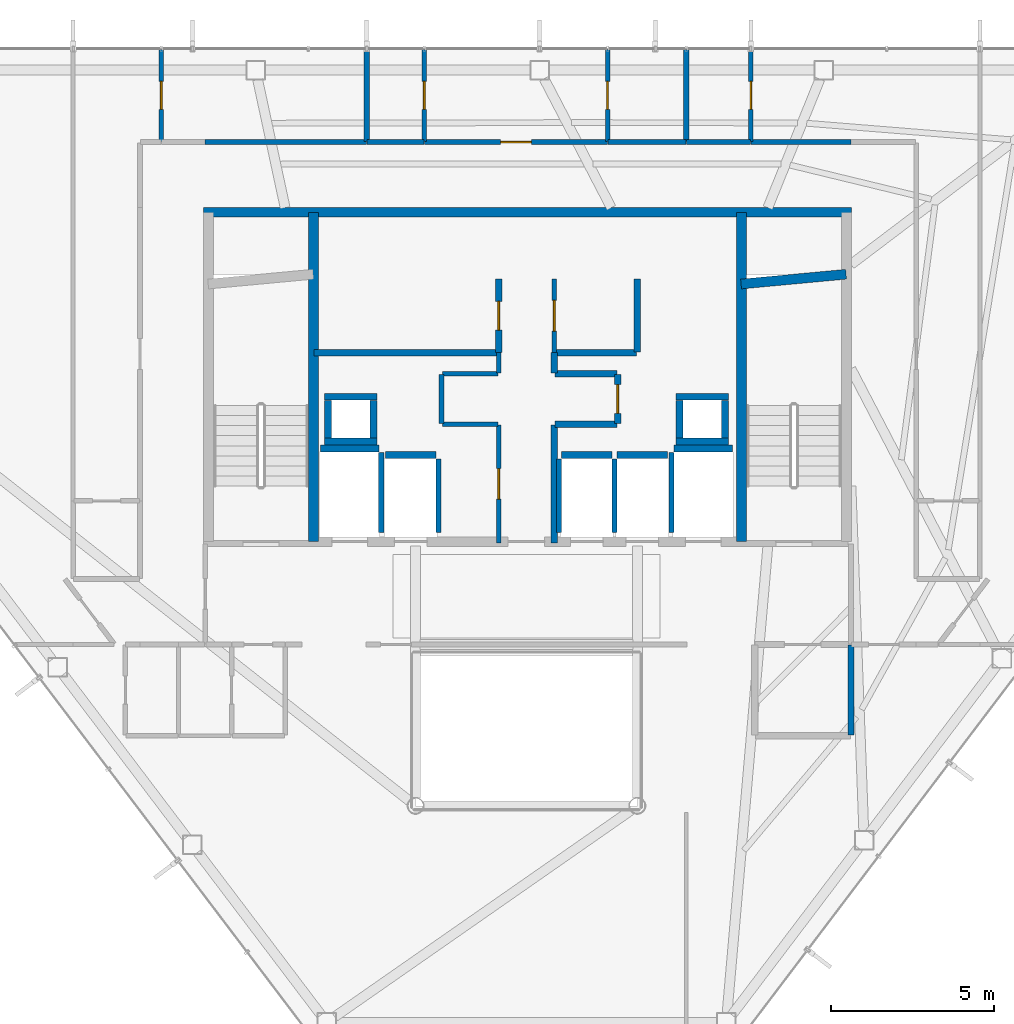
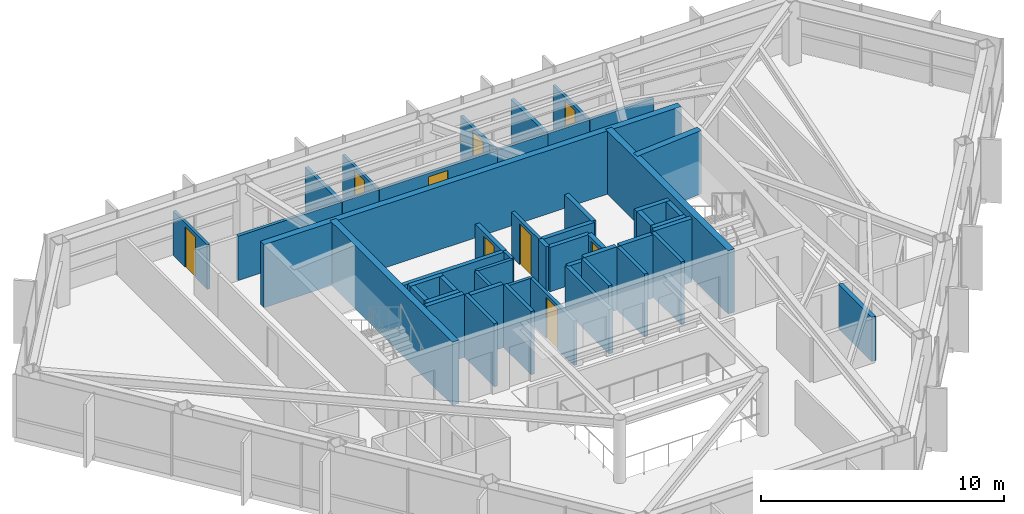
# One storey, part 23 of 25: 50 walls, 9 doors, 9 openings.
"""IFC4 building model written with IfcOpenShell, lengths in metres."""

from ifc_helpers import new_model, si_unit, direction, frame, frame_2d, origin, place, context, subcontext, project, spatial, rectangle, extrude, material, layer, layer_set, type_object, element, fill, save


model = new_model("IFC4")

# Units and contexts
model_context = context("Model", 3, precision=1e-05, world=origin(), true_north=direction((0.0, 1.0)))
body_context = subcontext(model_context, "Body", "Model", "MODEL_VIEW")
ifc_project = project(units=[si_unit("LENGTHUNIT", "METRE"), si_unit("AREAUNIT", "SQUARE_METRE"), si_unit("VOLUMEUNIT", "CUBIC_METRE"), si_unit("PLANEANGLEUNIT", "RADIAN"), si_unit("MASSUNIT", "GRAM", prefix="KILO")], contexts=[model_context])

# Site, building, storey
site_placement = place(None, origin())
site = spatial("IfcSite", under=ifc_project, at=site_placement, CompositionType="ELEMENT")
building_placement = place(site_placement, origin())
building = spatial("IfcBuilding", under=site, at=building_placement, Name="Zarrinselat Tower", CompositionType="ELEMENT")
storey_placement = place(building_placement, frame((0.0, 0.0, 212.159912109375)))
storey = spatial("IfcBuildingStorey", under=building, at=storey_placement, Name="L52", CompositionType="ELEMENT", Elevation=212.159912109375)

# Walls
ifc_material_1 = material(Name="Fire-Rated Gypsum Board Partition", Category="gypsum")
ifc_layer_1 = layer(ifc_material_1, 0.1650390625)
ifc_layer_set_1 = layer_set([ifc_layer_1], Name="Fire-Rated Gypsum Board Partition")
wall_type_1 = type_object("IfcWallType", Name="WAL-PART-DEMISE", PredefinedType="PARTITIONING", material=ifc_layer_set_1)
for number, where, z_axis, x_axis, name in (
    (1, (33.5, 45.570068359375, 0.0), (0.0, 0.0, 1.0), (0.0, 1.0, 0.0), "L52 Partition Wall 68"),
    (2, (43.300048828125, 45.570068359375, 0.0), (0.0, 0.0, 1.0), (0.0, 1.0, 0.0), "L52 Partition Wall 71"),
):
    element("IfcWall", number, at=place(storey_placement, frame(where, z_axis=z_axis, x_axis=x_axis)), inside=storey, type_object=wall_type_1, Name=name, PredefinedType="PARTITIONING", context=body_context, shape_type="SweptSolid", body=[
        extrude(rectangle(XDim=2.825927734375, YDim=0.1650390625, at=frame_2d((1.4130859375, 0.0))), origin(), (0.0, 0.0, 1.0), 2.235107421875),
    ])
ifc_material_2 = material(Name="Concrete C40/50", Category="concrete")
ifc_layer_2 = layer(ifc_material_2, 0.18994140625)
ifc_layer_set_2 = layer_set([ifc_layer_2], Name="Concrete C40/50")
wall_type_2 = type_object("IfcWallType", Name="WAL-PART-EI120", PredefinedType="PARTITIONING", material=ifc_layer_set_2)
wall_1_placement = place(storey_placement, frame((48.35009765625, 27.3701171875, 0.0), z_axis=(0.0, 0.0, 1.0), x_axis=(0.0, 1.0, 0.0)))
element("IfcWall", 3, at=wall_1_placement, inside=storey, type_object=wall_type_2, Name="L52 Partition Wall 25", PredefinedType="PARTITIONING", context=body_context, shape_type="SweptSolid", body=[
    extrude(rectangle(XDim=2.759765625, YDim=0.18994140625, at=frame_2d((1.3798828125, 0.0))), origin(), (0.0, 0.0, 1.0), 2.235107421875),
])

# Wall, opening, door
ifc_material_3 = material(Name="Fire-Rated Gypsum Board Partition", Category="gypsum")
ifc_layer_3 = layer(ifc_material_3, 0.14990234375)
ifc_layer_set_3 = layer_set([ifc_layer_3], Name="Fire-Rated Gypsum Board Partition")
wall_type_3 = type_object("IfcWallType", Name="WAL-PART-EI60", PredefinedType="PARTITIONING", material=ifc_layer_set_3)
wall_2_placement = place(storey_placement, frame((37.550048828125, 33.264892578125, 0.0), z_axis=(0.0, 0.0, 1.0), x_axis=(0.0, 1.0, 0.0)))
wall_2 = element("IfcWall", 4, at=wall_2_placement, inside=storey, type_object=wall_type_3, Name="L52 Partition Wall 1", PredefinedType="PARTITIONING", context=body_context, shape_type="SweptSolid", body=[
    extrude(rectangle(XDim=3.614990234375, YDim=0.14990234375, at=frame_2d((1.8076171875, 0.0))), origin(), (0.0, 0.0, 1.0), 2.235107421875),
])
opening_1_placement = place(wall_2_placement, frame((1.33740234375, 0.0, 0.0)))
opening_1 = element("IfcOpeningElement", 5, at=opening_1_placement, cuts=wall_2, Name="Opening ID-04", PredefinedType="OPENING", context=body_context, shape_type="SweptSolid", body=[
    extrude(rectangle(XDim=0.93994140625, YDim=2.050048828125, at=frame_2d((0.469970703125, 1.02490234375))), frame((0.0, 0.0849609375, 0.0), z_axis=(0.0, -1.0, 0.0), x_axis=(1.0, 0.0, 0.0)), (0.0, 0.0, 1.0), 0.169921875),
])
ifc_material_4 = material(Name="Fire-Rated Gypsum Board Partition")
door_type_1 = type_object("IfcDoorType", Name="DR-INT-FD30-ENT", OperationType="NOTDEFINED", PredefinedType="DOOR", material=ifc_material_4)
door_1_placement = place(opening_1_placement, origin())
door_1 = element("IfcDoor", 6, at=door_1_placement, inside=storey, type_object=door_type_1, Name="L52 Interior Door P1", OperationType="SINGLE_SWING_RIGHT", OverallHeight=2.050048828125, OverallWidth=0.93994140625, PredefinedType="DOOR", context=body_context, shape_type="SweptSolid", body=[
    extrude(rectangle(XDim=0.93994140625, YDim=2.050048828125, at=frame_2d((0.469970703125, 1.02490234375))), frame((0.0, 0.02490234375, 0.0), z_axis=(0.0, -1.0, 0.0), x_axis=(1.0, 0.0, 0.0)), (0.0, 0.0, 1.0), 0.050048828125),
])
fill(opening_1, door_1)

# Walls
wall_3_placement = place(storey_placement, frame((35.820068359375, 36.89990234375, 0.0), z_axis=(0.0, 0.0, 1.0), x_axis=(1.0, 0.0, 0.0)))
element("IfcWall", 7, at=wall_3_placement, inside=storey, type_object=wall_type_3, Name="L52 Partition Wall 2", PredefinedType="PARTITIONING", context=body_context, shape_type="SweptSolid", body=[
    extrude(rectangle(XDim=1.7099609375, YDim=0.14990234375, at=frame_2d((0.85498046875, 0.0))), origin(), (0.0, 0.0, 1.0), 2.235107421875),
])
wall_4_placement = place(storey_placement, frame((35.800048828125, 36.919921875, 0.0), z_axis=(0.0, 0.0, 1.0), x_axis=(0.0, 1.0, 0.0)))
element("IfcWall", 8, at=wall_4_placement, inside=storey, type_object=wall_type_3, Name="L52 Partition Wall 3", PredefinedType="PARTITIONING", context=body_context, shape_type="SweptSolid", body=[
    extrude(rectangle(XDim=1.510009765625, YDim=0.14990234375, at=frame_2d((0.7548828125, 0.0))), origin(), (0.0, 0.0, 1.0), 2.235107421875),
])
wall_5_placement = place(storey_placement, frame((35.820068359375, 38.449951171875, 0.0), z_axis=(0.0, 0.0, 1.0), x_axis=(1.0, 0.0, 0.0)))
element("IfcWall", 9, at=wall_5_placement, inside=storey, type_object=wall_type_3, Name="L52 Partition Wall 4", PredefinedType="PARTITIONING", context=body_context, shape_type="SweptSolid", body=[
    extrude(rectangle(XDim=1.7099609375, YDim=0.14990234375, at=frame_2d((0.85498046875, 0.0))), origin(), (0.0, 0.0, 1.0), 2.235107421875),
])
wall_6_placement = place(storey_placement, frame((37.550048828125, 38.469970703125, 0.0), z_axis=(0.0, 0.0, 1.0), x_axis=(0.0, 1.0, 0.0)))
element("IfcWall", 10, at=wall_6_placement, inside=storey, type_object=wall_type_3, Name="L52 Partition Wall 5", PredefinedType="PARTITIONING", context=body_context, shape_type="SweptSolid", body=[
    extrude(rectangle(XDim=0.625, YDim=0.14990234375, at=frame_2d((0.3125, 0.0))), origin(), (0.0, 0.0, 1.0), 2.235107421875),
])

# Wall, opening, door
wall_7_placement = place(storey_placement, frame((39.25, 39.10498046875, 0.0), z_axis=(0.0, 0.0, 1.0), x_axis=(0.0, 1.0, 0.0)))
wall_7 = element("IfcWall", 11, at=wall_7_placement, inside=storey, type_object=wall_type_3, Name="L52 Partition Wall 12", PredefinedType="PARTITIONING", context=body_context, shape_type="SweptSolid", body=[
    extrude(rectangle(XDim=2.2451171875, YDim=0.14990234375, at=frame_2d((1.12255859375, 0.0))), origin(), (0.0, 0.0, 1.0), 2.235107421875),
])
opening_2_placement = place(wall_7_placement, frame((0.652587890625, 0.0, 0.0)))
opening_2 = element("IfcOpeningElement", 12, at=opening_2_placement, cuts=wall_7, Name="Opening ID-04", PredefinedType="OPENING", context=body_context, shape_type="SweptSolid", body=[
    extrude(rectangle(XDim=0.93994140625, YDim=2.050048828125, at=frame_2d((0.469970703125, 1.02490234375))), frame((0.0, 0.0849609375, 0.0), z_axis=(0.0, -1.0, 0.0), x_axis=(1.0, 0.0, 0.0)), (0.0, 0.0, 1.0), 0.169921875),
])
door_2_placement = place(opening_2_placement, origin())
door_2 = element("IfcDoor", 13, at=door_2_placement, inside=storey, type_object=door_type_1, Name="L52 Interior Door P12", OperationType="SINGLE_SWING_LEFT", OverallHeight=2.050048828125, OverallWidth=0.93994140625, PredefinedType="DOOR", context=body_context, shape_type="SweptSolid", body=[
    extrude(rectangle(XDim=0.93994140625, YDim=2.050048828125, at=frame_2d((0.469970703125, 1.02490234375))), frame((0.0, 0.02490234375, 0.0), z_axis=(0.0, -1.0, 0.0), x_axis=(1.0, 0.0, 0.0)), (0.0, 0.0, 1.0), 0.050048828125),
])
fill(opening_2, door_2)

# Walls
wall_8_placement = place(storey_placement, frame((28.550048828125, 45.550048828125, 0.0), z_axis=(0.0, 0.0, 1.0), x_axis=(1.0, 0.0, 0.0)))
element("IfcWall", 14, at=wall_8_placement, inside=storey, type_object=wall_type_3, Name="L52 Partition Wall 37", PredefinedType="PARTITIONING", context=body_context, shape_type="SweptSolid", body=[
    extrude(rectangle(XDim=4.945068359375, YDim=0.14990234375, at=frame_2d((2.47265625, 0.0))), origin(), (0.0, 0.0, 1.0), 2.235107421875),
])
wall_9_placement = place(storey_placement, frame((45.284912109375, 45.550048828125, 0.0), z_axis=(0.0, 0.0, 1.0), x_axis=(1.0, 0.0, 0.0)))
element("IfcWall", 15, at=wall_9_placement, inside=storey, type_object=wall_type_3, Name="L52 Partition Wall 40", PredefinedType="PARTITIONING", context=body_context, shape_type="SweptSolid", body=[
    extrude(rectangle(XDim=3.065185546875, YDim=0.14990234375, at=frame_2d((1.53271484375, 0.0))), origin(), (0.0, 0.0, 1.0), 2.235107421875),
])
wall_10_placement = place(storey_placement, frame((43.304931640625, 45.550048828125, 0.0), z_axis=(0.0, 0.0, 1.0), x_axis=(1.0, 0.0, 0.0)))
element("IfcWall", 16, at=wall_10_placement, inside=storey, type_object=wall_type_3, Name="L52 Partition Wall 44", PredefinedType="PARTITIONING", context=body_context, shape_type="SweptSolid", body=[
    extrude(rectangle(XDim=1.969970703125, YDim=0.14990234375, at=frame_2d((0.98486328125, 0.0))), origin(), (0.0, 0.0, 1.0), 2.235107421875),
])

# Wall, opening, door
wall_11_placement = place(storey_placement, frame((35.26904296875, 45.550048828125, 0.0), z_axis=(0.0, 0.0, 1.0), x_axis=(1.0, 0.0, 0.0)))
wall_11 = element("IfcWall", 17, at=wall_11_placement, inside=storey, type_object=wall_type_3, Name="L52 Partition Wall 47", PredefinedType="PARTITIONING", context=body_context, shape_type="SweptSolid", body=[
    extrude(rectangle(XDim=5.615234375, YDim=0.14990234375, at=frame_2d((2.8076171875, 0.0))), origin(), (0.0, 0.0, 1.0), 2.235107421875),
])
opening_3_placement = place(wall_11_placement, frame((2.337646484375, 0.0, 0.0)))
opening_3 = element("IfcOpeningElement", 18, at=opening_3_placement, cuts=wall_11, Name="Opening ID-04", PredefinedType="OPENING", context=body_context, shape_type="SweptSolid", body=[
    extrude(rectangle(XDim=0.93994140625, YDim=2.050048828125, at=frame_2d((0.469970703125, 1.02490234375))), frame((0.0, 0.0849609375, 0.0), z_axis=(0.0, -1.0, 0.0), x_axis=(1.0, 0.0, 0.0)), (0.0, 0.0, 1.0), 0.169921875),
])
door_3_placement = place(opening_3_placement, origin())
door_3 = element("IfcDoor", 19, at=door_3_placement, inside=storey, type_object=door_type_1, Name="L52 Interior Door P47", OperationType="SINGLE_SWING_LEFT", OverallHeight=2.050048828125, OverallWidth=0.93994140625, PredefinedType="DOOR", context=body_context, shape_type="SweptSolid", body=[
    extrude(rectangle(XDim=0.93994140625, YDim=2.050048828125, at=frame_2d((0.469970703125, 1.02490234375))), frame((0.0, 0.02490234375, 0.0), z_axis=(0.0, -1.0, 0.0), x_axis=(1.0, 0.0, 0.0)), (0.0, 0.0, 1.0), 0.050048828125),
])
fill(opening_3, door_3)

# Walls
wall_12_placement = place(storey_placement, frame((40.894287109375, 45.550048828125, 0.0), z_axis=(0.0, 0.0, 1.0), x_axis=(1.0, 0.0, 0.0)))
element("IfcWall", 20, at=wall_12_placement, inside=storey, type_object=wall_type_3, Name="L52 Partition Wall 48", PredefinedType="PARTITIONING", context=body_context, shape_type="SweptSolid", body=[
    extrude(rectangle(XDim=2.400634765625, YDim=0.14990234375, at=frame_2d((1.2001953125, 0.0))), origin(), (0.0, 0.0, 1.0), 2.235107421875),
])
wall_13_placement = place(storey_placement, frame((33.5048828125, 45.550048828125, 0.0), z_axis=(0.0, 0.0, 1.0), x_axis=(1.0, 0.0, 0.0)))
element("IfcWall", 21, at=wall_13_placement, inside=storey, type_object=wall_type_3, Name="L52 Partition Wall 49", PredefinedType="PARTITIONING", context=body_context, shape_type="SweptSolid", body=[
    extrude(rectangle(XDim=1.754150390625, YDim=0.14990234375, at=frame_2d((0.876953125, 0.0))), origin(), (0.0, 0.0, 1.0), 2.235107421875),
])

# Wall, opening, door
ifc_material_5 = material(Name="Concrete C40/50", Category="concrete")
ifc_layer_4 = layer(ifc_material_5, 0.199951171875)
ifc_layer_set_4 = layer_set([ifc_layer_4], Name="Concrete C40/50")
wall_type_4 = type_object("IfcWallType", Name="WAL-PART-PLANT", PredefinedType="PARTITIONING", material=ifc_layer_set_4)
wall_14_placement = place(storey_placement, frame((37.550048828125, 39.10498046875, 0.0), z_axis=(0.0, 0.0, 1.0), x_axis=(0.0, 1.0, 0.0)))
wall_14 = element("IfcWall", 22, at=wall_14_placement, inside=storey, type_object=wall_type_4, Name="L52 Partition Wall 6", PredefinedType="PARTITIONING", context=body_context, shape_type="SweptSolid", body=[
    extrude(rectangle(XDim=2.2451171875, YDim=0.199951171875, at=frame_2d((1.12255859375, 0.0))), origin(), (0.0, 0.0, 1.0), 2.235107421875),
])
opening_4_placement = place(wall_14_placement, frame((0.6826171875, 0.0, 0.0)))
opening_4 = element("IfcOpeningElement", 23, at=opening_4_placement, cuts=wall_14, Name="Opening ID-03", PredefinedType="OPENING", context=body_context, shape_type="SweptSolid", body=[
    extrude(rectangle(XDim=0.8798828125, YDim=2.050048828125, at=frame_2d((0.43994140625, 1.02490234375))), frame((0.0, 0.10986328125, 0.0), z_axis=(0.0, -1.0, 0.0), x_axis=(1.0, 0.0, 0.0)), (0.0, 0.0, 1.0), 0.219970703125),
])
ifc_material_6 = material(Name="Steel S355J2", Category="steel")
door_type_2 = type_object("IfcDoorType", Name="DR-INT-FD60-S", OperationType="NOTDEFINED", PredefinedType="DOOR", material=ifc_material_6)
door_4_placement = place(opening_4_placement, origin())
door_4 = element("IfcDoor", 24, at=door_4_placement, inside=storey, type_object=door_type_2, Name="L52 Interior Door P6", OperationType="SINGLE_SWING_LEFT", OverallHeight=2.050048828125, OverallWidth=0.8798828125, PredefinedType="DOOR", context=body_context, shape_type="SweptSolid", body=[
    extrude(rectangle(XDim=0.8798828125, YDim=2.050048828125, at=frame_2d((0.43994140625, 1.02490234375))), frame((0.0, 0.02490234375, 0.0), z_axis=(0.0, -1.0, 0.0), x_axis=(1.0, 0.0, 0.0)), (0.0, 0.0, 1.0), 0.050048828125),
])
fill(opening_4, door_4)

# Walls
wall_15_placement = place(storey_placement, frame((39.25, 38.469970703125, 0.0), z_axis=(0.0, 0.0, 1.0), x_axis=(0.0, 1.0, 0.0)))
element("IfcWall", 25, at=wall_15_placement, inside=storey, type_object=wall_type_4, Name="L52 Partition Wall 7", PredefinedType="PARTITIONING", context=body_context, shape_type="SweptSolid", body=[
    extrude(rectangle(XDim=0.625, YDim=0.199951171875, at=frame_2d((0.3125, 0.0))), origin(), (0.0, 0.0, 1.0), 2.235107421875),
])
wall_16_placement = place(storey_placement, frame((39.27001953125, 38.449951171875, 0.0), z_axis=(0.0, 0.0, 1.0), x_axis=(1.0, 0.0, 0.0)))
element("IfcWall", 26, at=wall_16_placement, inside=storey, type_object=wall_type_4, Name="L52 Partition Wall 8", PredefinedType="PARTITIONING", context=body_context, shape_type="SweptSolid", body=[
    extrude(rectangle(XDim=1.909912109375, YDim=0.199951171875, at=frame_2d((0.955078125, 0.0))), origin(), (0.0, 0.0, 1.0), 2.235107421875),
])

# Wall, opening, door
wall_17_placement = place(storey_placement, frame((41.199951171875, 36.919921875, 0.0), z_axis=(0.0, 0.0, 1.0), x_axis=(0.0, 1.0, 0.0)))
wall_17 = element("IfcWall", 27, at=wall_17_placement, inside=storey, type_object=wall_type_4, Name="L52 Partition Wall 9", PredefinedType="PARTITIONING", context=body_context, shape_type="SweptSolid", body=[
    extrude(rectangle(XDim=1.510009765625, YDim=0.199951171875, at=frame_2d((0.7548828125, 0.0))), origin(), (0.0, 0.0, 1.0), 2.235107421875),
])
opening_5_placement = place(wall_17_placement, frame((0.31494140625, 0.0, 0.0)))
opening_5 = element("IfcOpeningElement", 28, at=opening_5_placement, cuts=wall_17, Name="Opening ID-03", PredefinedType="OPENING", context=body_context, shape_type="SweptSolid", body=[
    extrude(rectangle(XDim=0.8798828125, YDim=2.050048828125, at=frame_2d((0.43994140625, 1.02490234375))), frame((0.0, 0.10986328125, 0.0), z_axis=(0.0, -1.0, 0.0), x_axis=(1.0, 0.0, 0.0)), (0.0, 0.0, 1.0), 0.219970703125),
])
door_5_placement = place(opening_5_placement, origin())
door_5 = element("IfcDoor", 29, at=door_5_placement, inside=storey, type_object=door_type_2, Name="L52 Interior Door P9", OperationType="SINGLE_SWING_RIGHT", OverallHeight=2.050048828125, OverallWidth=0.8798828125, PredefinedType="DOOR", context=body_context, shape_type="SweptSolid", body=[
    extrude(rectangle(XDim=0.8798828125, YDim=2.050048828125, at=frame_2d((0.43994140625, 1.02490234375))), frame((0.0, 0.02490234375, 0.0), z_axis=(0.0, -1.0, 0.0), x_axis=(1.0, 0.0, 0.0)), (0.0, 0.0, 1.0), 0.050048828125),
])
fill(opening_5, door_5)

# Walls
wall_18_placement = place(storey_placement, frame((39.27001953125, 36.89990234375, 0.0), z_axis=(0.0, 0.0, 1.0), x_axis=(1.0, 0.0, 0.0)))
element("IfcWall", 30, at=wall_18_placement, inside=storey, type_object=wall_type_4, Name="L52 Partition Wall 10", PredefinedType="PARTITIONING", context=body_context, shape_type="SweptSolid", body=[
    extrude(rectangle(XDim=1.909912109375, YDim=0.199951171875, at=frame_2d((0.955078125, 0.0))), origin(), (0.0, 0.0, 1.0), 2.235107421875),
])
wall_19_placement = place(storey_placement, frame((39.25, 33.264892578125, 0.0), z_axis=(0.0, 0.0, 1.0), x_axis=(0.0, 1.0, 0.0)))
element("IfcWall", 31, at=wall_19_placement, inside=storey, type_object=wall_type_4, Name="L52 Partition Wall 11", PredefinedType="PARTITIONING", context=body_context, shape_type="SweptSolid", body=[
    extrude(rectangle(XDim=3.614990234375, YDim=0.199951171875, at=frame_2d((1.8076171875, 0.0))), origin(), (0.0, 0.0, 1.0), 2.235107421875),
])
wall_20_placement = place(storey_placement, frame((31.885009765625, 39.10009765625, 0.0), z_axis=(0.0, 0.0, 1.0), x_axis=(1.0, 0.0, 0.0)))
element("IfcWall", 32, at=wall_20_placement, inside=storey, type_object=wall_type_4, Name="L52 Partition Wall 13", PredefinedType="PARTITIONING", context=body_context, shape_type="SweptSolid", body=[
    extrude(rectangle(XDim=5.64501953125, YDim=0.199951171875, at=frame_2d((2.822509765625, 0.0))), origin(), (0.0, 0.0, 1.0), 2.235107421875),
])
wall_21_placement = place(storey_placement, frame((39.27001953125, 39.10009765625, 0.0), z_axis=(0.0, 0.0, 1.0), x_axis=(1.0, 0.0, 0.0)))
element("IfcWall", 33, at=wall_21_placement, inside=storey, type_object=wall_type_4, Name="L52 Partition Wall 14", PredefinedType="PARTITIONING", context=body_context, shape_type="SweptSolid", body=[
    extrude(rectangle(XDim=2.510009765625, YDim=0.199951171875, at=frame_2d((1.2548828125, 0.0))), origin(), (0.0, 0.0, 1.0), 2.235107421875),
])
wall_22_placement = place(storey_placement, frame((41.800048828125, 39.1201171875, 0.0), z_axis=(0.0, 0.0, 1.0), x_axis=(0.0, 1.0, 0.0)))
element("IfcWall", 34, at=wall_22_placement, inside=storey, type_object=wall_type_4, Name="L52 Partition Wall 15", PredefinedType="PARTITIONING", context=body_context, shape_type="SweptSolid", body=[
    extrude(rectangle(XDim=2.22998046875, YDim=0.199951171875, at=frame_2d((1.114990234375, 0.0))), origin(), (0.0, 0.0, 1.0), 2.235107421875),
])

# Wall, opening, door
ifc_material_7 = material(Name="Fire-Rated Gypsum Board Partition", Category="gypsum")
ifc_layer_5 = layer(ifc_material_7, 0.135009765625)
ifc_layer_set_5 = layer_set([ifc_layer_5], Name="Fire-Rated Gypsum Board Partition")
wall_type_5 = type_object("IfcWallType", Name="WAL-PART-WET", PredefinedType="PARTITIONING", material=ifc_layer_set_5)
wall_23_placement = place(storey_placement, frame((27.199951171875, 45.570068359375, 0.0), z_axis=(0.0, 0.0, 1.0), x_axis=(0.0, 1.0, 0.0)))
wall_23 = element("IfcWall", 35, at=wall_23_placement, inside=storey, type_object=wall_type_5, Name="L52 Partition Wall 66", PredefinedType="PARTITIONING", context=body_context, shape_type="SweptSolid", body=[
    extrude(rectangle(XDim=2.825927734375, YDim=0.135009765625, at=frame_2d((1.4130859375, 0.0))), origin(), (0.0, 0.0, 1.0), 2.235107421875),
])
opening_6_placement = place(wall_23_placement, frame((0.98291015625, 0.0, 0.0)))
opening_6 = element("IfcOpeningElement", 36, at=opening_6_placement, cuts=wall_23, Name="Opening ID-06", PredefinedType="OPENING", context=body_context, shape_type="SweptSolid", body=[
    extrude(rectangle(XDim=0.860107421875, YDim=2.050048828125, at=frame_2d((0.43017578125, 1.02490234375))), frame((0.0, 0.077392578125, 0.0), z_axis=(0.0, -1.0, 0.0), x_axis=(1.0, 0.0, 0.0)), (0.0, 0.0, 1.0), 0.155029296875),
])
ifc_material_8 = material(Name="Extruded Aluminium Alloy EN AW-6063 T6", Category="aluminium")
door_type_3 = type_object("IfcDoorType", Name="DR-INT-WET-900", OperationType="NOTDEFINED", PredefinedType="DOOR", material=ifc_material_8)
door_6_placement = place(opening_6_placement, origin())
door_6 = element("IfcDoor", 37, at=door_6_placement, inside=storey, type_object=door_type_3, Name="L52 Interior Door P66", OperationType="SINGLE_SWING_RIGHT", OverallHeight=2.050048828125, OverallWidth=0.860107421875, PredefinedType="DOOR", context=body_context, shape_type="SweptSolid", body=[
    extrude(rectangle(XDim=0.860107421875, YDim=2.050048828125, at=frame_2d((0.43017578125, 1.02490234375))), frame((0.0, 0.02490234375, 0.0), z_axis=(0.0, -1.0, 0.0), x_axis=(1.0, 0.0, 0.0)), (0.0, 0.0, 1.0), 0.050048828125),
])
fill(opening_6, door_6)

wall_24_placement = place(storey_placement, frame((45.280029296875, 45.570068359375, 0.0), z_axis=(0.0, 0.0, 1.0), x_axis=(0.0, 1.0, 0.0)))
wall_24 = element("IfcWall", 38, at=wall_24_placement, inside=storey, type_object=wall_type_5, Name="L52 Partition Wall 69", PredefinedType="PARTITIONING", context=body_context, shape_type="SweptSolid", body=[
    extrude(rectangle(XDim=2.825927734375, YDim=0.135009765625, at=frame_2d((1.4130859375, 0.0))), origin(), (0.0, 0.0, 1.0), 2.235107421875),
])
opening_7_placement = place(wall_24_placement, frame((0.98291015625, 0.0, 0.0)))
opening_7 = element("IfcOpeningElement", 39, at=opening_7_placement, cuts=wall_24, Name="Opening ID-06", PredefinedType="OPENING", context=body_context, shape_type="SweptSolid", body=[
    extrude(rectangle(XDim=0.860107421875, YDim=2.050048828125, at=frame_2d((0.43017578125, 1.02490234375))), frame((0.0, 0.077392578125, 0.0), z_axis=(0.0, -1.0, 0.0), x_axis=(1.0, 0.0, 0.0)), (0.0, 0.0, 1.0), 0.155029296875),
])
door_7_placement = place(opening_7_placement, origin())
door_7 = element("IfcDoor", 40, at=door_7_placement, inside=storey, type_object=door_type_3, Name="L52 Interior Door P69", OperationType="SINGLE_SWING_RIGHT", OverallHeight=2.050048828125, OverallWidth=0.860107421875, PredefinedType="DOOR", context=body_context, shape_type="SweptSolid", body=[
    extrude(rectangle(XDim=0.860107421875, YDim=2.050048828125, at=frame_2d((0.43017578125, 1.02490234375))), frame((0.0, 0.02490234375, 0.0), z_axis=(0.0, -1.0, 0.0), x_axis=(1.0, 0.0, 0.0)), (0.0, 0.0, 1.0), 0.050048828125),
])
fill(opening_7, door_7)

wall_25_placement = place(storey_placement, frame((40.88916015625, 45.570068359375, 0.0), z_axis=(0.0, 0.0, 1.0), x_axis=(0.0, 1.0, 0.0)))
wall_25 = element("IfcWall", 41, at=wall_25_placement, inside=storey, type_object=wall_type_5, Name="L52 Partition Wall 72", PredefinedType="PARTITIONING", context=body_context, shape_type="SweptSolid", body=[
    extrude(rectangle(XDim=2.825927734375, YDim=0.135009765625, at=frame_2d((1.4130859375, 0.0))), origin(), (0.0, 0.0, 1.0), 2.235107421875),
])
opening_8_placement = place(wall_25_placement, frame((0.98291015625, 0.0, 0.0)))
opening_8 = element("IfcOpeningElement", 42, at=opening_8_placement, cuts=wall_25, Name="Opening ID-06", PredefinedType="OPENING", context=body_context, shape_type="SweptSolid", body=[
    extrude(rectangle(XDim=0.860107421875, YDim=2.050048828125, at=frame_2d((0.43017578125, 1.02490234375))), frame((0.0, 0.077392578125, 0.0), z_axis=(0.0, -1.0, 0.0), x_axis=(1.0, 0.0, 0.0)), (0.0, 0.0, 1.0), 0.155029296875),
])
door_8_placement = place(opening_8_placement, origin())
door_8 = element("IfcDoor", 43, at=door_8_placement, inside=storey, type_object=door_type_3, Name="L52 Interior Door P72", OperationType="SINGLE_SWING_RIGHT", OverallHeight=2.050048828125, OverallWidth=0.860107421875, PredefinedType="DOOR", context=body_context, shape_type="SweptSolid", body=[
    extrude(rectangle(XDim=0.860107421875, YDim=2.050048828125, at=frame_2d((0.43017578125, 1.02490234375))), frame((0.0, 0.02490234375, 0.0), z_axis=(0.0, -1.0, 0.0), x_axis=(1.0, 0.0, 0.0)), (0.0, 0.0, 1.0), 0.050048828125),
])
fill(opening_8, door_8)

wall_26_placement = place(storey_placement, frame((35.263916015625, 45.570068359375, 0.0), z_axis=(0.0, 0.0, 1.0), x_axis=(0.0, 1.0, 0.0)))
wall_26 = element("IfcWall", 44, at=wall_26_placement, inside=storey, type_object=wall_type_5, Name="L52 Partition Wall 73", PredefinedType="PARTITIONING", context=body_context, shape_type="SweptSolid", body=[
    extrude(rectangle(XDim=2.825927734375, YDim=0.135009765625, at=frame_2d((1.4130859375, 0.0))), origin(), (0.0, 0.0, 1.0), 2.235107421875),
])
opening_9_placement = place(wall_26_placement, frame((0.98291015625, 0.0, 0.0)))
opening_9 = element("IfcOpeningElement", 45, at=opening_9_placement, cuts=wall_26, Name="Opening ID-06", PredefinedType="OPENING", context=body_context, shape_type="SweptSolid", body=[
    extrude(rectangle(XDim=0.860107421875, YDim=2.050048828125, at=frame_2d((0.43017578125, 1.02490234375))), frame((0.0, 0.077392578125, 0.0), z_axis=(0.0, -1.0, 0.0), x_axis=(1.0, 0.0, 0.0)), (0.0, 0.0, 1.0), 0.155029296875),
])
door_9_placement = place(opening_9_placement, origin())
door_9 = element("IfcDoor", 46, at=door_9_placement, inside=storey, type_object=door_type_3, Name="L52 Interior Door P73", OperationType="SINGLE_SWING_LEFT", OverallHeight=2.050048828125, OverallWidth=0.860107421875, PredefinedType="DOOR", context=body_context, shape_type="SweptSolid", body=[
    extrude(rectangle(XDim=0.860107421875, YDim=2.050048828125, at=frame_2d((0.43017578125, 1.02490234375))), frame((0.0, 0.02490234375, 0.0), z_axis=(0.0, -1.0, 0.0), x_axis=(1.0, 0.0, 0.0)), (0.0, 0.0, 1.0), 0.050048828125),
])
fill(opening_9, door_9)

# Walls
ifc_material_9 = material(Name="Concrete C40/50", Category="concrete")
ifc_layer_6 = layer(ifc_material_9, 0.2099609375)
ifc_layer_set_6 = layer_set([ifc_layer_6], Name="Concrete C40/50")
wall_type_6 = type_object("IfcWallType", Name="WAL-SHAFT-210", PredefinedType="SOLIDWALL", material=ifc_layer_set_6)
wall_27_placement = place(storey_placement, frame((32.080078125, 36.155029296875, 0.0), z_axis=(0.0, 0.0, 1.0), x_axis=(1.0, 0.0, 0.0)))
element("IfcWall", 47, at=wall_27_placement, inside=storey, type_object=wall_type_6, Name="L52 Lift FFL1 North Shaft Wall", PredefinedType="SOLIDWALL", context=body_context, shape_type="SweptSolid", body=[
    extrude(rectangle(XDim=1.7998046875, YDim=0.2099609375, at=frame_2d((0.89990234375, 0.0))), origin(), (0.0, 0.0, 1.0), 3.18017578125),
])
wall_28_placement = place(storey_placement, frame((33.949951171875, 33.580078125, 0.0), z_axis=(0.0, 0.0, 1.0), x_axis=(0.0, 1.0, 0.0)))
element("IfcWall", 48, at=wall_28_placement, inside=storey, type_object=wall_type_6, Name="L52 Lift FFL1 E Shaft Wall", PredefinedType="SOLIDWALL", context=body_context, shape_type="SweptSolid", body=[
    extrude(rectangle(XDim=2.449951171875, YDim=0.159912109375, at=frame_2d((1.22509765625, 0.0))), origin(), (0.0, 0.0, 1.0), 3.18017578125),
])
wall_29_placement = place(storey_placement, frame((42.919921875, 36.155029296875, 0.0), z_axis=(0.0, 0.0, 1.0), x_axis=(1.0, 0.0, 0.0)))
element("IfcWall", 49, at=wall_29_placement, inside=storey, type_object=wall_type_6, Name="L52 Lift FFL2 North Shaft Wall", PredefinedType="SOLIDWALL", context=body_context, shape_type="SweptSolid", body=[
    extrude(rectangle(XDim=1.800048828125, YDim=0.2099609375, at=frame_2d((0.89990234375, 0.0))), origin(), (0.0, 0.0, 1.0), 3.18017578125),
])
wall_30_placement = place(storey_placement, frame((42.85009765625, 33.580078125, 0.0), z_axis=(0.0, 0.0, 1.0), x_axis=(0.0, 1.0, 0.0)))
element("IfcWall", 50, at=wall_30_placement, inside=storey, type_object=wall_type_6, Name="L52 Lift FFL2 W Shaft Wall", PredefinedType="SOLIDWALL", context=body_context, shape_type="SweptSolid", body=[
    extrude(rectangle(XDim=2.449951171875, YDim=0.159912109375, at=frame_2d((1.22509765625, 0.0))), origin(), (0.0, 0.0, 1.0), 3.18017578125),
])
wall_31_placement = place(storey_placement, frame((39.469970703125, 35.955078125, 0.0), z_axis=(0.0, 0.0, 1.0), x_axis=(1.0, 0.0, 0.0)))
element("IfcWall", 51, at=wall_31_placement, inside=storey, type_object=wall_type_6, Name="L52 Lift PL8 North Shaft Wall", PredefinedType="SOLIDWALL", context=body_context, shape_type="SweptSolid", body=[
    extrude(rectangle(XDim=1.56005859375, YDim=0.2099609375, at=frame_2d((0.780029296875, 0.0))), origin(), (0.0, 0.0, 1.0), 3.18017578125),
])
for number, where, z_axis, x_axis, name in (
    (52, (39.39990234375, 33.580078125, 0.0), (0.0, 0.0, 1.0), (0.0, 1.0, 0.0), "L52 Lift PL8 W Shaft Wall"),
    (53, (41.10009765625, 33.580078125, 0.0), (0.0, 0.0, 1.0), (0.0, 1.0, 0.0), "L52 Lift PL8 E Shaft Wall"),
):
    element("IfcWall", number, at=place(storey_placement, frame(where, z_axis=z_axis, x_axis=x_axis)), inside=storey, type_object=wall_type_6, Name=name, PredefinedType="SOLIDWALL", context=body_context, shape_type="SweptSolid", body=[
        extrude(rectangle(XDim=2.25, YDim=0.159912109375, at=frame_2d((1.125, 0.0))), origin(), (0.0, 0.0, 1.0), 3.18017578125),
    ])
wall_32_placement = place(storey_placement, frame((41.169921875, 35.955078125, 0.0), z_axis=(0.0, 0.0, 1.0), x_axis=(1.0, 0.0, 0.0)))
element("IfcWall", 54, at=wall_32_placement, inside=storey, type_object=wall_type_6, Name="L52 Lift PL9 North Shaft Wall", PredefinedType="SOLIDWALL", context=body_context, shape_type="SweptSolid", body=[
    extrude(rectangle(XDim=1.56005859375, YDim=0.2099609375, at=frame_2d((0.780029296875, 0.0))), origin(), (0.0, 0.0, 1.0), 3.18017578125),
])
wall_33_placement = place(storey_placement, frame((34.070068359375, 35.955078125, 0.0), z_axis=(0.0, 0.0, 1.0), x_axis=(1.0, 0.0, 0.0)))
element("IfcWall", 55, at=wall_33_placement, inside=storey, type_object=wall_type_6, Name="L52 Lift PL10 North Shaft Wall", PredefinedType="SOLIDWALL", context=body_context, shape_type="SweptSolid", body=[
    extrude(rectangle(XDim=1.559814453125, YDim=0.2099609375, at=frame_2d((0.77978515625, 0.0))), origin(), (0.0, 0.0, 1.0), 3.18017578125),
])
wall_34_placement = place(storey_placement, frame((35.699951171875, 33.580078125, 0.0), z_axis=(0.0, 0.0, 1.0), x_axis=(0.0, 1.0, 0.0)))
element("IfcWall", 56, at=wall_34_placement, inside=storey, type_object=wall_type_6, Name="L52 Lift PL10 E Shaft Wall", PredefinedType="SOLIDWALL", context=body_context, shape_type="SweptSolid", body=[
    extrude(rectangle(XDim=2.25, YDim=0.159912109375, at=frame_2d((1.125, 0.0))), origin(), (0.0, 0.0, 1.0), 3.18017578125),
])
for number, where, z_axis, x_axis, name in (
    (57, (32.2099609375, 36.375, 0.0), (0.0, 0.0, 1.0), (1.0, 0.0, 0.0), "L52 Core Riser RSR-W S Shaft Wall"),
    (58, (32.2099609375, 37.7451171875, 0.0), (0.0, 0.0, 1.0), (1.0, 0.0, 0.0), "L52 Core Riser RSR-W N Shaft Wall"),
):
    element("IfcWall", number, at=place(storey_placement, frame(where, z_axis=z_axis, x_axis=x_axis)), inside=storey, type_object=wall_type_6, Name=name, PredefinedType="SOLIDWALL", context=body_context, shape_type="SweptSolid", body=[
        extrude(rectangle(XDim=1.60009765625, YDim=0.2099609375, at=frame_2d((0.800048828125, 0.0))), origin(), (0.0, 0.0, 1.0), 3.18017578125),
    ])
for number, where, z_axis, x_axis, name in (
    (59, (32.31494140625, 36.485107421875, 0.0), (0.0, 0.0, 1.0), (0.0, 1.0, 0.0), "L52 Core Riser RSR-W W Shaft Wall"),
    (60, (33.705078125, 36.485107421875, 0.0), (0.0, 0.0, 1.0), (0.0, 1.0, 0.0), "L52 Core Riser RSR-W E Shaft Wall"),
):
    element("IfcWall", number, at=place(storey_placement, frame(where, z_axis=z_axis, x_axis=x_axis)), inside=storey, type_object=wall_type_6, Name=name, PredefinedType="SOLIDWALL", context=body_context, shape_type="SweptSolid", body=[
        extrude(rectangle(XDim=1.14990234375, YDim=0.2099609375, at=frame_2d((0.574951171875, 0.0))), origin(), (0.0, 0.0, 1.0), 3.18017578125),
    ])
for number, where, z_axis, x_axis, name in (
    (61, (42.989990234375, 36.375, 0.0), (0.0, 0.0, 1.0), (1.0, 0.0, 0.0), "L52 Core Riser RSR-E S Shaft Wall"),
    (62, (42.989990234375, 37.7451171875, 0.0), (0.0, 0.0, 1.0), (1.0, 0.0, 0.0), "L52 Core Riser RSR-E N Shaft Wall"),
):
    element("IfcWall", number, at=place(storey_placement, frame(where, z_axis=z_axis, x_axis=x_axis)), inside=storey, type_object=wall_type_6, Name=name, PredefinedType="SOLIDWALL", context=body_context, shape_type="SweptSolid", body=[
        extrude(rectangle(XDim=1.60009765625, YDim=0.2099609375, at=frame_2d((0.800048828125, 0.0))), origin(), (0.0, 0.0, 1.0), 3.18017578125),
    ])
for number, where, z_axis, x_axis, name in (
    (63, (43.094970703125, 36.485107421875, 0.0), (0.0, 0.0, 1.0), (0.0, 1.0, 0.0), "L52 Core Riser RSR-E W Shaft Wall"),
    (64, (44.485107421875, 36.485107421875, 0.0), (0.0, 0.0, 1.0), (0.0, 1.0, 0.0), "L52 Core Riser RSR-E E Shaft Wall"),
):
    element("IfcWall", number, at=place(storey_placement, frame(where, z_axis=z_axis, x_axis=x_axis)), inside=storey, type_object=wall_type_6, Name=name, PredefinedType="SOLIDWALL", context=body_context, shape_type="SweptSolid", body=[
        extrude(rectangle(XDim=1.14990234375, YDim=0.2099609375, at=frame_2d((0.574951171875, 0.0))), origin(), (0.0, 0.0, 1.0), 3.18017578125),
    ])
ifc_material_10 = material(Name="Concrete C40/50", Category="concrete")
ifc_layer_7 = layer(ifc_material_10, 0.300048828125)
ifc_layer_set_7 = layer_set([ifc_layer_7], Name="Concrete C40/50")
wall_type_7 = type_object("IfcWallType", Name="WAL-SHEAR-300", PredefinedType="SHEAR", material=ifc_layer_set_7)
wall_35_placement = place(storey_placement, frame((28.5, 43.39990234375, 0.0), z_axis=(0.0, 0.0, 1.0), x_axis=(1.0, 0.0, 0.0)))
element("IfcWall", 65, at=wall_35_placement, inside=storey, type_object=wall_type_7, Name="L52 North Core Shear Wall", PredefinedType="SHEAR", context=body_context, shape_type="SweptSolid", body=[
    extrude(rectangle(XDim=19.860107421875, YDim=0.300048828125, at=frame_2d((9.93017578125, 0.0))), origin(), (0.0, 0.0, 1.0), 3.18017578125),
])
for number, where, z_axis, x_axis, name in (
    (66, (31.8701171875, 33.300048828125, 0.0), (0.0, 0.0, 1.0), (0.0, 1.0, 0.0), "L52 Core Shear Wall ST1E"),
    (67, (44.989990234375, 33.300048828125, 0.0), (0.0, 0.0, 1.0), (0.0, 1.0, 0.0), "L52 Core Shear Wall ST2W"),
):
    element("IfcWall", number, at=place(storey_placement, frame(where, z_axis=z_axis, x_axis=x_axis)), inside=storey, type_object=wall_type_7, Name=name, PredefinedType="SHEAR", context=body_context, shape_type="SweptSolid", body=[
        extrude(rectangle(XDim=10.099853515625, YDim=0.300048828125, at=frame_2d((5.0498046875, 0.0))), origin(), (0.0, 0.0, 1.0), 3.18017578125),
    ])
wall_36_placement = place(storey_placement, frame((44.97998046875, 41.199951171875, 0.0), z_axis=(0.0, 0.0, 1.0), x_axis=(0.995686468965, 0.09278176286, 0.0)))
element("IfcWall", 68, at=wall_36_placement, inside=storey, type_object=wall_type_7, Name="L52 Stair 2 North Shaft Wall", PredefinedType="SHEAR", context=body_context, shape_type="SweptSolid", body=[
    extrude(rectangle(XDim=3.23388671875, YDim=0.300048828125, at=frame_2d((1.616943359375, 0.0))), origin(), (0.0, 0.0, 1.0), 3.18017578125),
])

save(model, "model.ifc")
